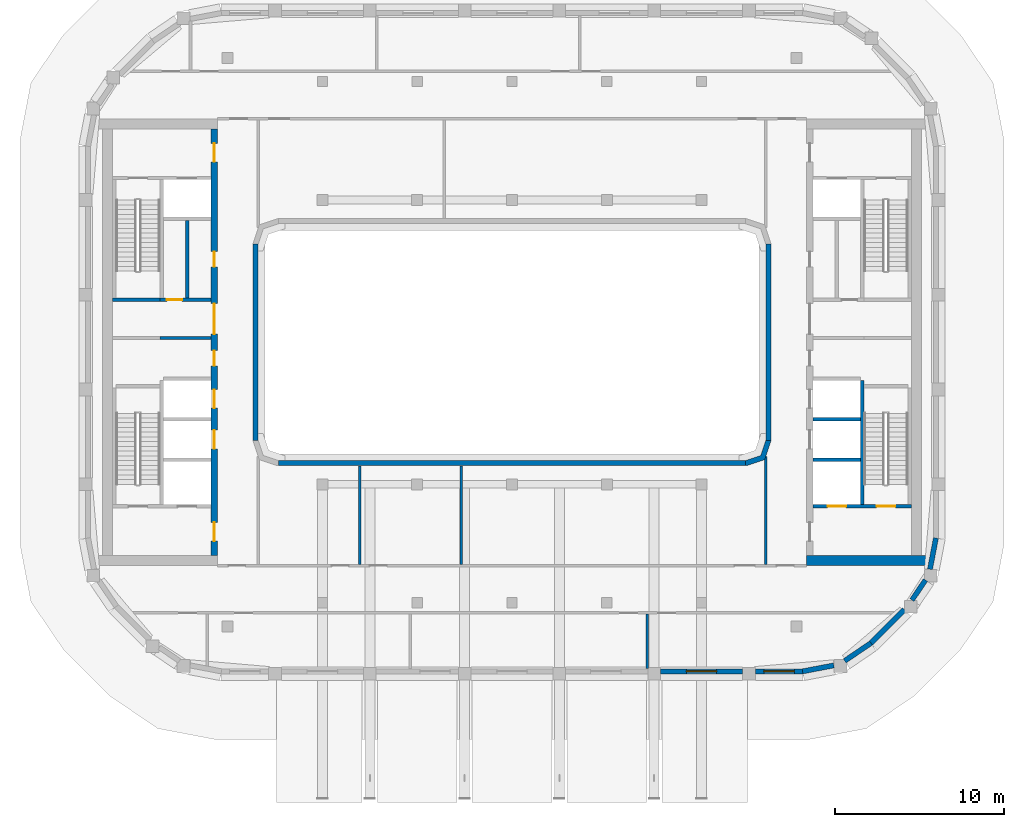
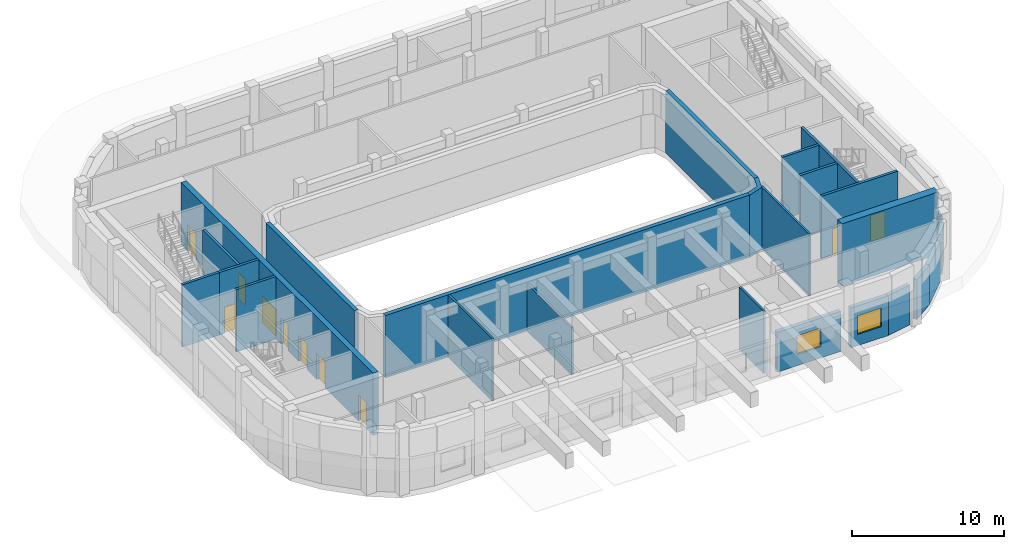
# One storey, part 7 of 17: 25 walls, 10 doors, 2 windows, 12 openings.
"""IFC4 building model written with IfcOpenShell, lengths in metres."""

from ifc_helpers import new_model, si_unit, direction, frame, frame_2d, origin, place, context, subcontext, project, spatial, polyline, rectangle, outline, extrude, material, layer, layer_set, type_object, element, fill, save


model = new_model("IFC4")

# Units and contexts
model_context = context("Model", 3, precision=1e-05, world=origin(), true_north=direction((0.0, 1.0)))
body_context = subcontext(model_context, "Body", "Model", "MODEL_VIEW")
ifc_project = project(units=[si_unit("LENGTHUNIT", "METRE"), si_unit("AREAUNIT", "SQUARE_METRE"), si_unit("VOLUMEUNIT", "CUBIC_METRE"), si_unit("PLANEANGLEUNIT", "RADIAN"), si_unit("MASSUNIT", "GRAM", prefix="KILO")], contexts=[model_context])

# Site, building, storey
site_placement = place(None, origin())
site = spatial("IfcSite", under=ifc_project, at=site_placement, CompositionType="ELEMENT")
building_placement = place(site_placement, origin())
building = spatial("IfcBuilding", under=site, at=building_placement, Name="Kiln Ring Residences", CompositionType="ELEMENT")
storey_placement = place(building_placement, frame((0.0, 0.0, 289.10009765625)))
storey = spatial("IfcBuildingStorey", under=building, at=storey_placement, Name="L75", CompositionType="ELEMENT", Elevation=289.10009765625)

# Walls
ifc_material_1 = material(Name="Gypsum board on steel studs", Category="steel")
ifc_layer_1 = layer(ifc_material_1, 0.199951171875)
ifc_layer_set_1 = layer_set([ifc_layer_1], Name="CORE-PARTITION-200")
wall_type_1 = type_object("IfcWallType", Name="CORE-PARTITION-200", PredefinedType="PARTITIONING", material=ifc_layer_set_1)
wall_1_placement = place(storey_placement, frame((-19.199951171875, 2.60009765625, 0.0), z_axis=(0.0, 0.0, 1.0), x_axis=(0.0, 1.0, 0.0)))
element("IfcWall", 1, at=wall_1_placement, inside=storey, type_object=wall_type_1, Name="Core partition west L75 2", PredefinedType="PARTITIONING", context=body_context, shape_type="SweptSolid", body=[
    extrude(rectangle(XDim=4.599853515625, YDim=0.199951171875, at=frame_2d((2.2998046875, 0.0))), origin(), (0.0, 0.0, 1.0), 5.0),
])
ifc_material_2 = material(Name="Gypsum shaft wall system")
ifc_layer_2 = layer(ifc_material_2, 0.199951171875)
ifc_layer_set_2 = layer_set([ifc_layer_2], Name="CORE-SHAFT-WALL-200")
wall_type_2 = type_object("IfcWallType", Name="CORE-SHAFT-WALL-200", PredefinedType="PARTITIONING", material=ifc_layer_set_2)
wall_2_placement = place(storey_placement, frame((-17.800048828125, 0.25, 0.0), z_axis=(0.0, 0.0, 1.0), x_axis=(-1.0, 0.0, 0.0)))
element("IfcWall", 2, at=wall_2_placement, inside=storey, type_object=wall_type_2, Name="Core partition west L75 6", PredefinedType="PARTITIONING", context=body_context, shape_type="SweptSolid", body=[
    extrude(rectangle(XDim=3.0, YDim=0.199951171875, at=frame_2d((1.5, 0.0))), origin(), (0.0, 0.0, 1.0), 5.0),
])

# Wall, opening, door
wall_3_placement = place(storey_placement, frame((-17.800048828125, 2.5, 0.0), z_axis=(0.0, 0.0, 1.0), x_axis=(-1.0, 0.0, 0.0)))
wall_3 = element("IfcWall", 3, at=wall_3_placement, inside=storey, type_object=wall_type_2, Name="Core partition west L75 7", PredefinedType="PARTITIONING", context=body_context, shape_type="SweptSolid", body=[
    extrude(rectangle(XDim=3.0, YDim=0.199951171875, at=frame_2d((1.5, 0.0))), origin(), (0.0, 0.0, 1.0), 5.0),
])
opening_1_placement = place(wall_3_placement, frame((1.699951171875, 0.0, 0.0)))
opening_1 = element("IfcOpeningElement", 4, at=opening_1_placement, cuts=wall_3, Name="Opening L75-CW06", PredefinedType="OPENING", context=body_context, shape_type="SweptSolid", body=[
    extrude(rectangle(XDim=0.89990234375, YDim=2.10009765625, at=frame_2d((0.449951171875, 1.050048828125))), frame((0.0, 0.10986328125, 0.0), z_axis=(0.0, -1.0, 0.0), x_axis=(1.0, 0.0, 0.0)), (0.0, 0.0, 1.0), 0.219970703125),
])
ifc_material_3 = material(Name="Steel door leaf", Category="steel")
door_type_1 = type_object("IfcDoorType", Name="CORE-DOOR-ROOM", OperationType="SINGLE_SWING_LEFT", PredefinedType="DOOR", material=ifc_material_3)
door_1_placement = place(opening_1_placement, origin())
door_1 = element("IfcDoor", 5, at=door_1_placement, inside=storey, type_object=door_type_1, Name="Cleaner's store L75-CW06", OperationType="SINGLE_SWING_LEFT", OverallHeight=2.10009765625, OverallWidth=0.89990234375, PredefinedType="DOOR", context=body_context, shape_type="SweptSolid", body=[
    extrude(rectangle(XDim=0.89990234375, YDim=2.10009765625, at=frame_2d((0.449951171875, 1.050048828125))), frame((0.0, 0.02490234375, 0.0), z_axis=(0.0, -1.0, 0.0), x_axis=(1.0, 0.0, 0.0)), (0.0, 0.0, 1.0), 0.050048828125),
])
fill(opening_1, door_1)

# Walls
for number, where, z_axis, x_axis, name in (
    (6, (17.800048828125, -6.949951171875, 0.0), (0.0, 0.0, 1.0), (1.0, 0.0, 0.0), "Core partition east L75 3"),
    (7, (17.800048828125, -4.550048828125, 0.0), (0.0, 0.0, 1.0), (1.0, 0.0, 0.0), "Core partition east L75 4"),
):
    element("IfcWall", number, at=place(storey_placement, frame(where, z_axis=z_axis, x_axis=x_axis)), inside=storey, type_object=wall_type_2, Name=name, PredefinedType="PARTITIONING", context=body_context, shape_type="SweptSolid", body=[
        extrude(rectangle(XDim=2.800048828125, YDim=0.199951171875, at=frame_2d((1.39990234375, 0.0))), origin(), (0.0, 0.0, 1.0), 5.0),
    ])
ifc_material_4 = material(Name="Concrete C40/50", Category="concrete")
ifc_layer_3 = layer(ifc_material_4, 0.199951171875)
ifc_layer_set_3 = layer_set([ifc_layer_3], Name="CORE-WALL-RC200")
wall_type_3 = type_object("IfcWallType", Name="CORE-WALL-RC200", PredefinedType="SHEAR", material=ifc_layer_set_3)
wall_4_placement = place(storey_placement, frame((-20.800048828125, 2.5, 0.0), z_axis=(0.0, 0.0, 1.0), x_axis=(-1.0, 0.0, 0.0)))
element("IfcWall", 8, at=wall_4_placement, inside=storey, type_object=wall_type_3, Name="Core wall west L75 3", PredefinedType="SHEAR", context=body_context, shape_type="SweptSolid", body=[
    extrude(rectangle(XDim=2.800048828125, YDim=0.199951171875, at=frame_2d((1.39990234375, 0.0))), origin(), (0.0, 0.0, 1.0), 5.0),
])
wall_5_placement = place(storey_placement, frame((20.699951171875, -9.60009765625, 0.0), z_axis=(0.0, 0.0, 1.0), x_axis=(0.0, 1.0, 0.0)))
element("IfcWall", 9, at=wall_5_placement, inside=storey, type_object=wall_type_3, Name="Core wall east L75 2", PredefinedType="SHEAR", context=body_context, shape_type="SweptSolid", body=[
    extrude(rectangle(XDim=7.35009765625, YDim=0.199951171875, at=frame_2d((3.675048828125, 0.0))), origin(), (0.0, 0.0, 1.0), 5.0),
])

# Wall, openings, doors
wall_6_placement = place(storey_placement, frame((17.800048828125, -9.699951171875, 0.0), z_axis=(0.0, 0.0, 1.0), x_axis=(1.0, 0.0, 0.0)))
wall_6 = element("IfcWall", 10, at=wall_6_placement, inside=storey, type_object=wall_type_3, Name="Core wall east L75 8", PredefinedType="SHEAR", context=body_context, shape_type="SweptSolid", body=[
    extrude(rectangle(XDim=5.800048828125, YDim=0.199951171875, at=frame_2d((2.89990234375, 0.0))), origin(), (0.0, 0.0, 1.0), 5.0),
])
opening_2_placement = place(wall_6_placement, frame((0.85009765625, 0.0, 0.0)))
opening_2 = element("IfcOpeningElement", 11, at=opening_2_placement, cuts=wall_6, Name="Opening L75-CE01", PredefinedType="OPENING", context=body_context, shape_type="SweptSolid", body=[
    extrude(rectangle(XDim=1.10009765625, YDim=2.10009765625, at=frame_2d((0.550048828125, 1.050048828125))), frame((0.0, 0.10986328125, 0.0), z_axis=(0.0, -1.0, 0.0), x_axis=(1.0, 0.0, 0.0)), (0.0, 0.0, 1.0), 0.219970703125),
])
opening_3_placement = place(wall_6_placement, frame((3.75, 0.0, 0.0)))
opening_3 = element("IfcOpeningElement", 12, at=opening_3_placement, cuts=wall_6, Name="Opening L75-CE11", PredefinedType="OPENING", context=body_context, shape_type="SweptSolid", body=[
    extrude(rectangle(XDim=1.10009765625, YDim=2.10009765625, at=frame_2d((0.550048828125, 1.050048828125))), frame((0.0, 0.10986328125, 0.0), z_axis=(0.0, -1.0, 0.0), x_axis=(1.0, 0.0, 0.0)), (0.0, 0.0, 1.0), 0.219970703125),
])
ifc_material_5 = material(Name="Steel door leaf", Category="steel")
door_type_2 = type_object("IfcDoorType", Name="CORE-DOOR-LD", OperationType="DOUBLE_DOOR_SLIDING", PredefinedType="DOOR", material=ifc_material_5)
door_2_placement = place(opening_2_placement, origin())
door_2 = element("IfcDoor", 13, at=door_2_placement, inside=storey, type_object=door_type_2, Name="LD E-SV L75-CE01", OperationType="DOUBLE_DOOR_SLIDING", OverallHeight=2.10009765625, OverallWidth=1.10009765625, PredefinedType="DOOR", context=body_context, shape_type="SweptSolid", body=[
    extrude(rectangle(XDim=1.10009765625, YDim=2.10009765625, at=frame_2d((0.550048828125, 1.050048828125))), frame((0.0, 0.02490234375, 0.0), z_axis=(0.0, -1.0, 0.0), x_axis=(1.0, 0.0, 0.0)), (0.0, 0.0, 1.0), 0.050048828125),
])
fill(opening_2, door_2)
ifc_material_6 = material(Name="Steel door leaf", Category="steel")
door_type_3 = type_object("IfcDoorType", Name="CORE-DOOR-STAIR", OperationType="SINGLE_SWING_LEFT", PredefinedType="DOOR", material=ifc_material_6)
door_3_placement = place(opening_3_placement, origin())
door_3 = element("IfcDoor", 14, at=door_3_placement, inside=storey, type_object=door_type_3, Name="Stair E-STS L75-CE11", OperationType="SINGLE_SWING_LEFT", OverallHeight=2.10009765625, OverallWidth=1.10009765625, PredefinedType="DOOR", context=body_context, shape_type="SweptSolid", body=[
    extrude(rectangle(XDim=1.10009765625, YDim=2.10009765625, at=frame_2d((0.550048828125, 1.050048828125))), frame((0.0, 0.02490234375, 0.0), z_axis=(0.0, -1.0, 0.0), x_axis=(1.0, 0.0, 0.0)), (0.0, 0.0, 1.0), 0.050048828125),
])
fill(opening_3, door_3)

ifc_material_7 = material(Name="Concrete C60/75", Category="concrete")
ifc_layer_4 = layer(ifc_material_7, 0.39990234375)
ifc_layer_set_4 = layer_set([ifc_layer_4], Name="CORE-WALL-RC400")
wall_type_4 = type_object("IfcWallType", Name="CORE-WALL-RC400", PredefinedType="SHEAR", material=ifc_layer_set_4)
wall_7_placement = place(storey_placement, frame((-17.60009765625, -12.60009765625, 0.0), z_axis=(0.0, 0.0, 1.0), x_axis=(0.0, 1.0, 0.0)))
wall_7 = element("IfcWall", 15, at=wall_7_placement, inside=storey, type_object=wall_type_4, Name="Core wall west L75 6", PredefinedType="SHEAR", context=body_context, shape_type="SweptSolid", body=[
    extrude(rectangle(XDim=25.2001953125, YDim=0.39990234375, at=frame_2d((12.60009765625, 0.0))), origin(), (0.0, 0.0, 1.0), 5.0),
])
opening_4_placement = place(wall_7_placement, frame((6.300048828125, 0.0, 0.0)))
opening_4 = element("IfcOpeningElement", 16, at=opening_4_placement, cuts=wall_7, Name="Opening L75-CW02", PredefinedType="OPENING", context=body_context, shape_type="SweptSolid", body=[
    extrude(rectangle(XDim=1.10009765625, YDim=2.10009765625, at=frame_2d((0.550048828125, 1.050048828125))), frame((0.0, 0.2099609375, 0.0), z_axis=(0.0, -1.0, 0.0), x_axis=(1.0, 0.0, 0.0)), (0.0, 0.0, 1.0), 0.419921875),
])
opening_5_placement = place(wall_7_placement, frame((8.699951171875, 0.0, 0.0)))
opening_5 = element("IfcOpeningElement", 17, at=opening_5_placement, cuts=wall_7, Name="Opening L75-CW03", PredefinedType="OPENING", context=body_context, shape_type="SweptSolid", body=[
    extrude(rectangle(XDim=1.10009765625, YDim=2.10009765625, at=frame_2d((0.550048828125, 1.050048828125))), frame((0.0, 0.2099609375, 0.0), z_axis=(0.0, -1.0, 0.0), x_axis=(1.0, 0.0, 0.0)), (0.0, 0.0, 1.0), 0.419921875),
])
opening_6_placement = place(wall_7_placement, frame((11.199951171875, 0.0, 0.0)))
opening_6 = element("IfcOpeningElement", 18, at=opening_6_placement, cuts=wall_7, Name="Opening L75-CW04", PredefinedType="OPENING", context=body_context, shape_type="SweptSolid", body=[
    extrude(rectangle(XDim=0.89990234375, YDim=2.10009765625, at=frame_2d((0.449951171875, 1.050048828125))), frame((0.0, 0.2099609375, 0.0), z_axis=(0.0, -1.0, 0.0), x_axis=(1.0, 0.0, 0.0)), (0.0, 0.0, 1.0), 0.419921875),
])
opening_7_placement = place(wall_7_placement, frame((17.050048828125, 0.0, 0.0)))
opening_7 = element("IfcOpeningElement", 19, at=opening_7_placement, cuts=wall_7, Name="Opening L75-CW05", PredefinedType="OPENING", context=body_context, shape_type="SweptSolid", body=[
    extrude(rectangle(XDim=0.89990234375, YDim=2.10009765625, at=frame_2d((0.449951171875, 1.050048828125))), frame((0.0, 0.2099609375, 0.0), z_axis=(0.0, -1.0, 0.0), x_axis=(1.0, 0.0, 0.0)), (0.0, 0.0, 1.0), 0.419921875),
])
opening_8_placement = place(wall_7_placement, frame((23.25, 0.0, 0.0)))
opening_8 = element("IfcOpeningElement", 20, at=opening_8_placement, cuts=wall_7, Name="Opening L75-CW08", PredefinedType="OPENING", context=body_context, shape_type="SweptSolid", body=[
    extrude(rectangle(XDim=1.10009765625, YDim=2.10009765625, at=frame_2d((0.550048828125, 1.050048828125))), frame((0.0, 0.2099609375, 0.0), z_axis=(0.0, -1.0, 0.0), x_axis=(1.0, 0.0, 0.0)), (0.0, 0.0, 1.0), 0.419921875),
])
opening_9_placement = place(wall_7_placement, frame((0.85009765625, 0.0, 0.0)))
opening_9 = element("IfcOpeningElement", 21, at=opening_9_placement, cuts=wall_7, Name="Opening L75-CW09", PredefinedType="OPENING", context=body_context, shape_type="SweptSolid", body=[
    extrude(rectangle(XDim=1.10009765625, YDim=2.10009765625, at=frame_2d((0.550048828125, 1.050048828125))), frame((0.0, 0.2099609375, 0.0), z_axis=(0.0, -1.0, 0.0), x_axis=(1.0, 0.0, 0.0)), (0.0, 0.0, 1.0), 0.419921875),
])
opening_10_placement = place(wall_7_placement, frame((13.074951171875, 0.0, 0.0)))
opening_10 = element("IfcOpeningElement", 22, at=opening_10_placement, cuts=wall_7, Name="Opening L75-CW12", PredefinedType="OPENING", context=body_context, shape_type="SweptSolid", body=[
    extrude(rectangle(XDim=1.800048828125, YDim=2.10009765625, at=frame_2d((0.89990234375, 1.050048828125))), frame((0.0, 0.2099609375, 0.0), z_axis=(0.0, -1.0, 0.0), x_axis=(1.0, 0.0, 0.0)), (0.0, 0.0, 1.0), 0.419921875),
])
door_4_placement = place(opening_4_placement, origin())
door_4 = element("IfcDoor", 23, at=door_4_placement, inside=storey, type_object=door_type_2, Name="LD W-H1 L75-CW02", OperationType="DOUBLE_DOOR_SLIDING", OverallHeight=2.10009765625, OverallWidth=1.10009765625, PredefinedType="DOOR", context=body_context, shape_type="SweptSolid", body=[
    extrude(rectangle(XDim=1.10009765625, YDim=2.10009765625, at=frame_2d((0.550048828125, 1.050048828125))), frame((0.0, 0.02490234375, 0.0), z_axis=(0.0, -1.0, 0.0), x_axis=(1.0, 0.0, 0.0)), (0.0, 0.0, 1.0), 0.050048828125),
])
fill(opening_4, door_4)
door_5_placement = place(opening_5_placement, origin())
door_5 = element("IfcDoor", 24, at=door_5_placement, inside=storey, type_object=door_type_2, Name="LD W-H2 L75-CW03", OperationType="DOUBLE_DOOR_SLIDING", OverallHeight=2.10009765625, OverallWidth=1.10009765625, PredefinedType="DOOR", context=body_context, shape_type="SweptSolid", body=[
    extrude(rectangle(XDim=1.10009765625, YDim=2.10009765625, at=frame_2d((0.550048828125, 1.050048828125))), frame((0.0, 0.02490234375, 0.0), z_axis=(0.0, -1.0, 0.0), x_axis=(1.0, 0.0, 0.0)), (0.0, 0.0, 1.0), 0.050048828125),
])
fill(opening_5, door_5)
ifc_material_8 = material(Name="Steel door leaf", Category="steel")
door_type_4 = type_object("IfcDoorType", Name="CORE-DOOR-LOBBY", OperationType="SINGLE_SWING_LEFT", PredefinedType="DOOR", material=ifc_material_8)
door_6_placement = place(opening_8_placement, origin())
door_6 = element("IfcDoor", 25, at=door_6_placement, inside=storey, type_object=door_type_4, Name="FFL L75-CW08", OperationType="SINGLE_SWING_LEFT", OverallHeight=2.10009765625, OverallWidth=1.10009765625, PredefinedType="DOOR", context=body_context, shape_type="SweptSolid", body=[
    extrude(rectangle(XDim=1.10009765625, YDim=2.10009765625, at=frame_2d((0.550048828125, 1.050048828125))), frame((0.0, 0.02490234375, 0.0), z_axis=(0.0, -1.0, 0.0), x_axis=(1.0, 0.0, 0.0)), (0.0, 0.0, 1.0), 0.050048828125),
])
fill(opening_8, door_6)
door_7_placement = place(opening_9_placement, origin())
door_7 = element("IfcDoor", 26, at=door_7_placement, inside=storey, type_object=door_type_4, Name="SVL L75-CW09", OperationType="SINGLE_SWING_RIGHT", OverallHeight=2.10009765625, OverallWidth=1.10009765625, PredefinedType="DOOR", context=body_context, shape_type="SweptSolid", body=[
    extrude(rectangle(XDim=1.10009765625, YDim=2.10009765625, at=frame_2d((0.550048828125, 1.050048828125))), frame((0.0, 0.02490234375, 0.0), z_axis=(0.0, -1.0, 0.0), x_axis=(1.0, 0.0, 0.0)), (0.0, 0.0, 1.0), 0.050048828125),
])
fill(opening_9, door_7)
ifc_material_9 = material(Name="Steel door leaf", Category="steel")
door_type_5 = type_object("IfcDoorType", Name="CORE-DOOR-PASS", OperationType="DOUBLE_DOOR_SINGLE_SWING", PredefinedType="DOOR", material=ifc_material_9)
door_8_placement = place(opening_10_placement, origin())
door_8 = element("IfcDoor", 27, at=door_8_placement, inside=storey, type_object=door_type_5, Name="Core passage L75-CW12", OperationType="DOUBLE_DOOR_SINGLE_SWING", OverallHeight=2.10009765625, OverallWidth=1.800048828125, PredefinedType="DOOR", context=body_context, shape_type="SweptSolid", body=[
    extrude(rectangle(XDim=1.800048828125, YDim=2.10009765625, at=frame_2d((0.89990234375, 1.050048828125))), frame((0.0, 0.02490234375, 0.0), z_axis=(0.0, -1.0, 0.0), x_axis=(1.0, 0.0, 0.0)), (0.0, 0.0, 1.0), 0.050048828125),
])
fill(opening_10, door_8)
door_9_placement = place(opening_6_placement, origin())
door_9 = element("IfcDoor", 28, at=door_9_placement, inside=storey, type_object=door_type_1, Name="Parcel room L75-CW04", OperationType="SINGLE_SWING_RIGHT", OverallHeight=2.10009765625, OverallWidth=0.89990234375, PredefinedType="DOOR", context=body_context, shape_type="SweptSolid", body=[
    extrude(rectangle(XDim=0.89990234375, YDim=2.10009765625, at=frame_2d((0.449951171875, 1.050048828125))), frame((0.0, 0.02490234375, 0.0), z_axis=(0.0, -1.0, 0.0), x_axis=(1.0, 0.0, 0.0)), (0.0, 0.0, 1.0), 0.050048828125),
])
fill(opening_6, door_9)
door_10_placement = place(opening_7_placement, origin())
door_10 = element("IfcDoor", 29, at=door_10_placement, inside=storey, type_object=door_type_1, Name="Storage room L75-CW05", OperationType="SINGLE_SWING_LEFT", OverallHeight=2.10009765625, OverallWidth=0.89990234375, PredefinedType="DOOR", context=body_context, shape_type="SweptSolid", body=[
    extrude(rectangle(XDim=0.89990234375, YDim=2.10009765625, at=frame_2d((0.449951171875, 1.050048828125))), frame((0.0, 0.02490234375, 0.0), z_axis=(0.0, -1.0, 0.0), x_axis=(1.0, 0.0, 0.0)), (0.0, 0.0, 1.0), 0.050048828125),
])
fill(opening_7, door_10)

# Wall
ifc_material_10 = material(Name="Concrete C60/75", Category="concrete")
ifc_layer_5 = layer(ifc_material_10, 0.60009765625)
ifc_layer_set_5 = layer_set([ifc_layer_5], Name="CORE-WALL-RC600")
wall_type_5 = type_object("IfcWallType", Name="CORE-WALL-RC600", PredefinedType="SHEAR", material=ifc_layer_set_5)
wall_8_placement = place(storey_placement, frame((17.39990234375, -12.89990234375, 0.0), z_axis=(0.0, 0.0, 1.0), x_axis=(1.0, 0.0, 0.0)))
element("IfcWall", 30, at=wall_8_placement, inside=storey, type_object=wall_type_5, Name="Core wall east L75 5", PredefinedType="SHEAR", context=body_context, shape_type="SweptSolid", body=[
    extrude(rectangle(XDim=7.320068359375, YDim=0.60009765625, at=frame_2d((3.66015625, 0.0))), origin(), (0.0, 0.0, 1.0), 5.0),
])

# Wall, opening, window
ifc_material_11 = material(Name="Brick masonry, dark clay brick", Category="masonry")
ifc_layer_6 = layer(ifc_material_11, 0.300048828125)
ifc_layer_set_6 = layer_set([ifc_layer_6], Name="EW-300 BRICK WALL")
wall_type_6 = type_object("IfcWallType", Name="EW-300 BRICK WALL", PredefinedType="SOLIDWALL", material=ifc_layer_set_6)
wall_9_placement = place(storey_placement, frame((8.77490234375, -19.449951171875, 0.0), z_axis=(0.0, 0.0, 1.0), x_axis=(1.0, 0.0, 0.0)))
wall_9 = element("IfcWall", 31, at=wall_9_placement, inside=storey, type_object=wall_type_6, Name="Facade wall L75 9", PredefinedType="SOLIDWALL", context=body_context, shape_type="SweptSolid", body=[
    extrude(rectangle(XDim=4.85009765625, YDim=0.300048828125, at=frame_2d((2.425048828125, 0.0))), origin(), (0.0, 0.0, 1.0), 3.199951171875),
])
opening_11_placement = place(wall_9_placement, frame((1.52490234375, 0.0, 0.89990234375)))
opening_11 = element("IfcOpeningElement", 32, at=opening_11_placement, cuts=wall_9, Name="Opening LV1", PredefinedType="OPENING", context=body_context, shape_type="SweptSolid", body=[
    extrude(rectangle(XDim=1.800048828125, YDim=1.5, at=frame_2d((0.89990234375, 0.75))), frame((0.0, 0.159912109375, 0.0), z_axis=(0.0, -1.0, 0.0), x_axis=(1.0, 0.0, 0.0)), (0.0, 0.0, 1.0), 0.320068359375),
])
ifc_material_12 = material(Name="Aluminium louvre", Category="aluminium")
window_type = type_object("IfcWindowType", Name="LOUVRED VENT 1800 x 1500", PartitioningType="SINGLE_PANEL", PredefinedType="WINDOW", material=ifc_material_12)
window_1_placement = place(opening_11_placement, origin())
window_1 = element("IfcWindow", 33, at=window_1_placement, inside=storey, type_object=window_type, Name="Louvred vent L75 6", OverallHeight=1.5, OverallWidth=1.800048828125, PartitioningType="SINGLE_PANEL", PredefinedType="WINDOW", context=body_context, shape_type="SweptSolid", body=[
    extrude(rectangle(XDim=1.800048828125, YDim=1.5, at=frame_2d((0.89990234375, 0.75))), frame((0.0, 0.030029296875, 0.0), z_axis=(0.0, -1.0, 0.0), x_axis=(1.0, 0.0, 0.0)), (0.0, 0.0, 1.0), 0.06005859375),
])
fill(opening_11, window_1)

wall_10_placement = place(storey_placement, frame((14.375, -19.449951171875, 0.0), z_axis=(0.0, 0.0, 1.0), x_axis=(1.0, 0.0, 0.0)))
wall_10 = element("IfcWall", 34, at=wall_10_placement, inside=storey, type_object=wall_type_6, Name="Facade wall L75 10", PredefinedType="SOLIDWALL", context=body_context, shape_type="SweptSolid", body=[
    extrude(rectangle(XDim=2.824951171875, YDim=0.300048828125, at=frame_2d((1.41259765625, 0.0))), origin(), (0.0, 0.0, 1.0), 3.199951171875),
])
opening_12_placement = place(wall_10_placement, frame((0.512451171875, 0.0, 0.89990234375)))
opening_12 = element("IfcOpeningElement", 35, at=opening_12_placement, cuts=wall_10, Name="Opening LV1", PredefinedType="OPENING", context=body_context, shape_type="SweptSolid", body=[
    extrude(rectangle(XDim=1.800048828125, YDim=1.5, at=frame_2d((0.89990234375, 0.75))), frame((0.0, 0.159912109375, 0.0), z_axis=(0.0, -1.0, 0.0), x_axis=(1.0, 0.0, 0.0)), (0.0, 0.0, 1.0), 0.320068359375),
])
window_2_placement = place(opening_12_placement, origin())
window_2 = element("IfcWindow", 36, at=window_2_placement, inside=storey, type_object=window_type, Name="Louvred vent L75 7", OverallHeight=1.5, OverallWidth=1.800048828125, PartitioningType="SINGLE_PANEL", PredefinedType="WINDOW", context=body_context, shape_type="SweptSolid", body=[
    extrude(rectangle(XDim=1.800048828125, YDim=1.5, at=frame_2d((0.89990234375, 0.75))), frame((0.0, 0.030029296875, 0.0), z_axis=(0.0, -1.0, 0.0), x_axis=(1.0, 0.0, 0.0)), (0.0, 0.0, 1.0), 0.06005859375),
])
fill(opening_12, window_2)

# Walls
wall_11_placement = place(storey_placement, frame((17.171875, -19.45263671875, 0.0), z_axis=(0.0, 0.0, 1.0), x_axis=(0.982284001233, 0.187398348234, 0.0)))
element("IfcWall", 37, at=wall_11_placement, inside=storey, type_object=wall_type_6, Name="Facade wall L75 11", PredefinedType="SOLIDWALL", context=body_context, shape_type="SweptSolid", body=[
    extrude(rectangle(XDim=1.88134765625, YDim=0.300048828125, at=frame_2d((0.940673828125, 0.0))), origin(), (0.0, 0.0, 1.0), 3.199951171875),
])
wall_12_placement = place(storey_placement, frame((19.656982421875, -18.836181640625, 0.0), z_axis=(0.0, 0.0, 1.0), x_axis=(0.82704477487, 0.562136051469, 0.0)))
element("IfcWall", 38, at=wall_12_placement, inside=storey, type_object=wall_type_6, Name="Facade wall L75 12", PredefinedType="SOLIDWALL", context=body_context, shape_type="SweptSolid", body=[
    extrude(rectangle(XDim=1.881103515625, YDim=0.300048828125, at=frame_2d((0.9404296875, 0.0))), origin(), (0.0, 0.0, 1.0), 3.199951171875),
])
wall_13_placement = place(storey_placement, frame((21.19091796875, -17.796875, 0.0), z_axis=(0.0, 0.0, 1.0), x_axis=(0.707106781187, 0.707106781187, 0.0)))
element("IfcWall", 39, at=wall_13_placement, inside=storey, type_object=wall_type_6, Name="Facade wall L75 13", PredefinedType="SOLIDWALL", context=body_context, shape_type="SweptSolid", body=[
    extrude(rectangle(XDim=2.824951171875, YDim=0.300048828125, at=frame_2d((1.41259765625, 0.0))), origin(), (0.0, 0.0, 1.0), 3.199951171875),
])
wall_14_placement = place(storey_placement, frame((23.634033203125, -15.2373046875, 0.0), z_axis=(0.0, 0.0, 1.0), x_axis=(0.562099454787, 0.827069648173, 0.0)))
element("IfcWall", 40, at=wall_14_placement, inside=storey, type_object=wall_type_6, Name="Facade wall L75 14", PredefinedType="SOLIDWALL", context=body_context, shape_type="SweptSolid", body=[
    extrude(rectangle(XDim=1.42724609375, YDim=0.300048828125, at=frame_2d((0.713623046875, 0.0))), origin(), (0.0, 0.0, 1.0), 3.199951171875),
])
wall_15_placement = place(storey_placement, frame((24.7001953125, -13.419677734375, 0.0), z_axis=(0.0, 0.0, 1.0), x_axis=(0.187398348234, 0.982284001233, 0.0)))
element("IfcWall", 41, at=wall_15_placement, inside=storey, type_object=wall_type_6, Name="Facade wall L75 15", PredefinedType="SOLIDWALL", context=body_context, shape_type="SweptSolid", body=[
    extrude(rectangle(XDim=1.88134765625, YDim=0.300048828125, at=frame_2d((0.940673828125, 0.0))), origin(), (0.0, 0.0, 1.0), 3.199951171875),
])
for number, where, z_axis, x_axis, name in (
    (42, (-15.14990234375, -5.800048828125, 0.0), (0.0, 0.0, 1.0), (0.0, 1.0, 0.0), "Facade wall L75 45"),
    (43, (15.14990234375, 5.800048828125, 0.0), (0.0, 0.0, 1.0), (0.0, -1.0, 0.0), "Facade wall L75 47"),
):
    element("IfcWall", number, at=place(storey_placement, frame(where, z_axis=z_axis, x_axis=x_axis)), inside=storey, type_object=wall_type_6, Name=name, PredefinedType="SOLIDWALL", context=body_context, shape_type="SweptSolid", body=[
        extrude(rectangle(XDim=11.60009765625, YDim=0.300048828125, at=frame_2d((5.800048828125, 0.0))), origin(), (0.0, 0.0, 1.0), 5.0),
    ])
wall_16_placement = place(storey_placement, frame((13.800048828125, -7.14990234375, 0.0), z_axis=(0.0, 0.0, 1.0), x_axis=(-1.0, 0.0, 0.0)))
element("IfcWall", 44, at=wall_16_placement, inside=storey, type_object=wall_type_6, Name="Facade wall L75 48", PredefinedType="SOLIDWALL", context=body_context, shape_type="SweptSolid", body=[
    extrude(rectangle(XDim=27.60009765625, YDim=0.300048828125, at=frame_2d((13.800048828125, 0.0))), origin(), (0.0, 0.0, 1.0), 5.0),
])
wall_17_placement = place(storey_placement, origin())
element("IfcWall", 45, at=wall_17_placement, inside=storey, type_object=wall_type_6, Name="Corner wall L75 3", PredefinedType="SOLIDWALL", context=body_context, shape_type="SweptSolid", body=[
    extrude(outline(polyline([(14.937255859375, -6.937255859375), (15.300048828125, -5.8486328125), (15.300048828125, -5.800048828125), (15.0, -5.800048828125), (14.699951171875, -6.699951171875), (13.800048828125, -7.0), (13.800048828125, -7.300048828125), (13.8486328125, -7.300048828125), (14.937255859375, -6.937255859375)])), origin(), (0.0, 0.0, 1.0), 5.0),
])
ifc_material_13 = material(Name="Brick masonry partition", Category="masonry")
ifc_layer_7 = layer(ifc_material_13, 0.14990234375)
ifc_layer_set_7 = layer_set([ifc_layer_7], Name="PARTITION-150-ei60")
wall_type_7 = type_object("IfcWallType", Name="PARTITION-150-ei60", PredefinedType="PARTITIONING", material=ifc_layer_set_7)
wall_18_placement = place(storey_placement, frame((-9.0, -13.125, 0.0), z_axis=(0.0, 0.0, 1.0), x_axis=(0.0, 1.0, 0.0)))
element("IfcWall", 46, at=wall_18_placement, inside=storey, type_object=wall_type_7, Name="Partition 008", PredefinedType="PARTITIONING", context=body_context, shape_type="SweptSolid", body=[
    extrude(rectangle(XDim=5.804931640625, YDim=0.14990234375, at=frame_2d((2.90234375, 0.0))), origin(), (0.0, 0.0, 1.0), 5.0),
])
wall_19_placement = place(storey_placement, frame((-3.0, -13.125, 0.0), z_axis=(0.0, 0.0, 1.0), x_axis=(0.0, 1.0, 0.0)))
element("IfcWall", 47, at=wall_19_placement, inside=storey, type_object=wall_type_7, Name="Partition 012", PredefinedType="PARTITIONING", context=body_context, shape_type="SweptSolid", body=[
    extrude(rectangle(XDim=5.804931640625, YDim=0.14990234375, at=frame_2d((2.90234375, 0.0))), origin(), (0.0, 0.0, 1.0), 3.7998046875),
])
wall_20_placement = place(storey_placement, frame((8.0, -19.280029296875, 0.0), z_axis=(0.0, 0.0, 1.0), x_axis=(0.0, 1.0, 0.0)))
element("IfcWall", 48, at=wall_20_placement, inside=storey, type_object=wall_type_7, Name="Partition 014", PredefinedType="PARTITIONING", context=body_context, shape_type="SweptSolid", body=[
    extrude(rectangle(XDim=3.205078125, YDim=0.14990234375, at=frame_2d((1.6025390625, 0.0))), origin(), (0.0, 0.0, 1.0), 5.0),
])
wall_21_placement = place(storey_placement, frame((15.0, -13.125, 0.0), z_axis=(0.0, 0.0, 1.0), x_axis=(0.0, 1.0, 0.0)))
element("IfcWall", 49, at=wall_21_placement, inside=storey, type_object=wall_type_7, Name="Partition 015", PredefinedType="PARTITIONING", context=body_context, shape_type="SweptSolid", body=[
    extrude(rectangle(XDim=6.356201171875, YDim=0.14990234375, at=frame_2d((3.17822265625, 0.0))), origin(), (0.0, 0.0, 1.0), 5.0),
])

save(model, "model.ifc")
